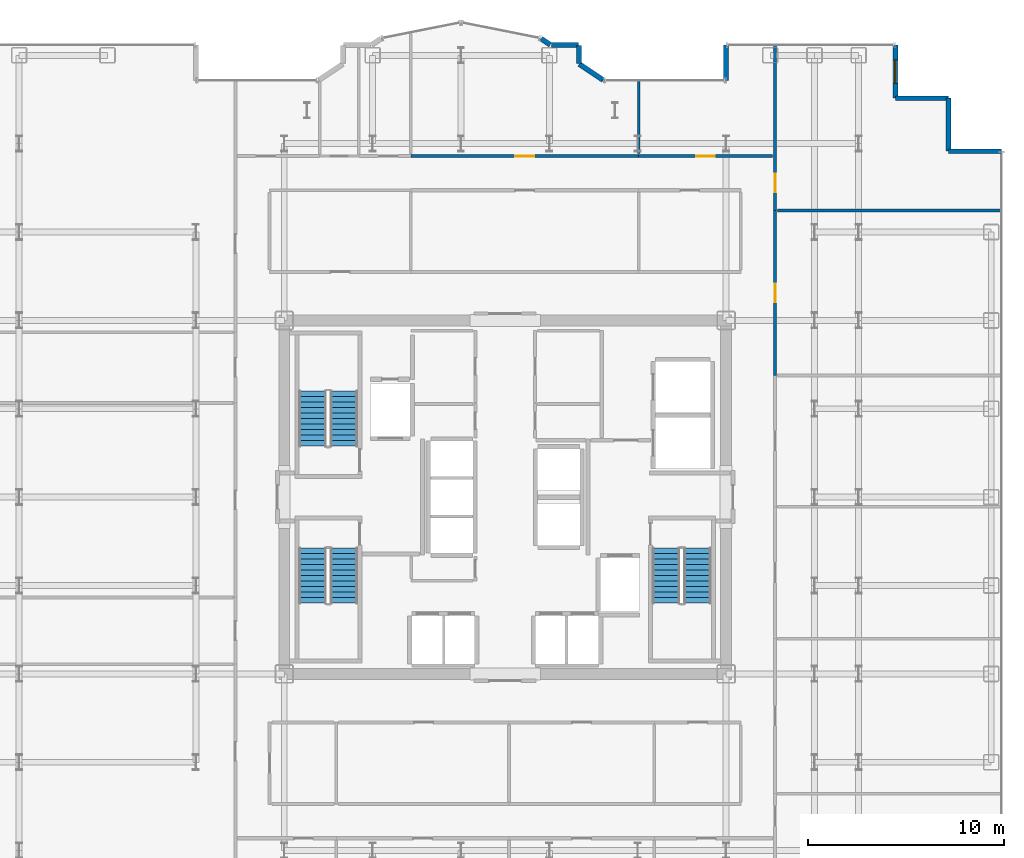
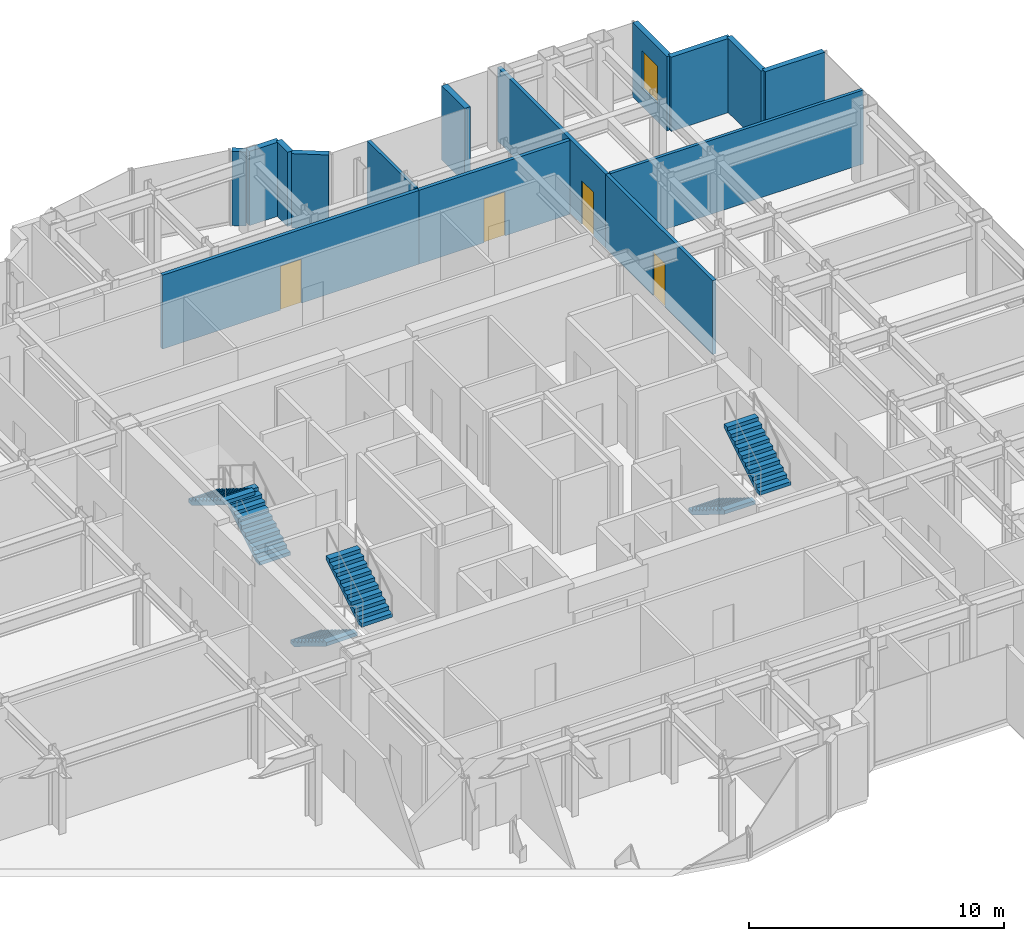
# One storey, part 22 of 23: 15 walls, 6 stair flights, 4 doors, 1 window, 5 openings, 3 elements without a shape of their own.
"""IFC4 building model written with IfcOpenShell, lengths in metres."""

from ifc_helpers import new_model, si_unit, direction, frame, frame_2d, origin, place, context, subcontext, project, spatial, polyline, rectangle, outline, extrude, source, transform, mapped, material, layer, layer_set, type_object, element, fill, aggregate, save


model = new_model("IFC4")

# Units and contexts
model_context = context("Model", 3, precision=1e-05, world=origin(), true_north=direction((0.0, 1.0)))
body_context = subcontext(model_context, "Body", "Model", "MODEL_VIEW")
ifc_project = project(units=[si_unit("LENGTHUNIT", "METRE"), si_unit("AREAUNIT", "SQUARE_METRE"), si_unit("VOLUMEUNIT", "CUBIC_METRE"), si_unit("PLANEANGLEUNIT", "RADIAN"), si_unit("MASSUNIT", "GRAM", prefix="KILO")], contexts=[model_context])

# Site, building, storey
site_placement = place(None, origin())
site = spatial("IfcSite", under=ifc_project, at=site_placement, CompositionType="ELEMENT")
building_placement = place(site_placement, origin())
building = spatial("IfcBuilding", under=site, at=building_placement, Name="Nefas-Gora Pilgrimage Tower", CompositionType="ELEMENT")
storey_placement = place(building_placement, frame((0.0, 0.0, 167.800048828125)))
storey = spatial("IfcBuildingStorey", under=building, at=storey_placement, Name="L41", CompositionType="ELEMENT", Elevation=167.800048828125)

# Walls
ifc_material_1 = material(Name="Precast concrete C40/50", Category="concrete")
ifc_layer_1 = layer(ifc_material_1, 0.260009765625)
ifc_layer_set_1 = layer_set([ifc_layer_1], Name="Precast concrete C40/50")
wall_type_1 = type_object("IfcWallType", Name="EW-PORTAL-260", PredefinedType="SOLIDWALL", material=ifc_layer_set_1)
shared_shape_1 = source(origin(), body_context, "Body", "SweptSolid", [
    extrude(rectangle(XDim=1.800048828125, YDim=0.260009765625, at=frame_2d((0.89990234375, 0.0))), origin(), (0.0, 0.0, 1.0), 3.550048828125),
])
wall_1_placement = place(storey_placement, frame((11.25, 23.02001953125, 0.0), z_axis=(0.0, 0.0, 1.0), x_axis=(0.0, -1.0, 0.0)))
element("IfcWall", 1, at=wall_1_placement, inside=storey, type_object=wall_type_1, Name="L41 Lobe Shoulder Precast Spandrel Pier 10", PredefinedType="SOLIDWALL", context=body_context, shape_type="MappedRepresentation", body=[
    mapped(shared_shape_1, transform((0.0, 0.0, 0.0), x_axis=(1.0, 0.0, 0.0), y_axis=(0.0, 1.0, 0.0), z_axis=(0.0, 0.0, 1.0), scale=1.0)),
])
ifc_material_2 = material(Name="Precast concrete C45/55", Category="concrete")
ifc_layer_2 = layer(ifc_material_2, 0.239990234375)
ifc_layer_set_2 = layer_set([ifc_layer_2], Name="Precast concrete C45/55")
wall_type_2 = type_object("IfcWallType", Name="EW-SERR-240", PredefinedType="SHEAR", material=ifc_layer_set_2)
shared_shape_2 = source(origin(), body_context, "Body", "SweptSolid", [
    extrude(rectangle(XDim=2.699951171875, YDim=0.239990234375, at=frame_2d((1.35009765625, 0.0))), origin(), (0.0, 0.0, 1.0), 3.550048828125),
])
for number, where, z_axis, x_axis, name in (
    (2, (25.27001953125, 17.6201171875, 0.0), (0.0, 0.0, 1.0), (-1.0, 0.0, 0.0), "L41 Serrated Corner Shear Pier Wall 6"),
    (3, (22.570068359375, 17.6201171875, 0.0), (0.0, 0.0, 1.0), (0.0, 1.0, 0.0), "L41 Serrated Corner Shear Pier Wall 7"),
    (4, (22.570068359375, 20.320068359375, 0.0), (0.0, 0.0, 1.0), (-1.0, 0.0, 0.0), "L41 Serrated Corner Shear Pier Wall 8"),
):
    element("IfcWall", number, at=place(storey_placement, frame(where, z_axis=z_axis, x_axis=x_axis)), inside=storey, type_object=wall_type_2, Name=name, PredefinedType="SHEAR", context=body_context, shape_type="MappedRepresentation", body=[
        mapped(shared_shape_2, transform((0.0, 0.0, 0.0), x_axis=(1.0, 0.0, 0.0), y_axis=(0.0, 1.0, 0.0), z_axis=(0.0, 0.0, 1.0), scale=1.0)),
    ])

# Wall, opening, window
wall_2_placement = place(storey_placement, frame((19.8701171875, 20.320068359375, 0.0), z_axis=(0.0, 0.0, 1.0), x_axis=(0.0, 1.0, 0.0)))
wall_2 = element("IfcWall", 5, at=wall_2_placement, inside=storey, type_object=wall_type_2, Name="L41 Serrated Corner Shear Pier Wall 9", PredefinedType="SHEAR", context=body_context, shape_type="MappedRepresentation", body=[
    mapped(shared_shape_2, transform((0.0, 0.0, 0.0), x_axis=(1.0, 0.0, 0.0), y_axis=(0.0, 1.0, 0.0), z_axis=(0.0, 0.0, 1.0), scale=1.0)),
])
opening_1_placement = place(wall_2_placement, frame((0.75, 0.0, 0.85009765625)))
opening_1 = element("IfcOpeningElement", 6, at=opening_1_placement, cuts=wall_2, Name="Opening W-V1", PredefinedType="OPENING", context=body_context, shape_type="SweptSolid", body=[
    extrude(rectangle(XDim=1.199951171875, YDim=1.800048828125, at=frame_2d((0.60009765625, 0.89990234375))), frame((0.0, 0.1298828125, 0.0), z_axis=(0.0, -1.0, 0.0), x_axis=(1.0, 0.0, 0.0)), (0.0, 0.0, 1.0), 0.260009765625),
])
ifc_material_3 = material(Name="Dark ceramic-fritted operable aluminium-glass window", Category="aluminium")
window_type = type_object("IfcWindowType", Name="WIN-VENT-1200x1800", PartitioningType="SINGLE_PANEL", PredefinedType="WINDOW", material=ifc_material_3)
shared_shape_3 = source(origin(), body_context, "Body", "SweptSolid", [
    extrude(rectangle(XDim=1.199951171875, YDim=1.800048828125, at=frame_2d((0.60009765625, 0.89990234375))), frame((0.0, 0.030029296875, 0.0), z_axis=(0.0, -1.0, 0.0), x_axis=(1.0, 0.0, 0.0)), (0.0, 0.0, 1.0), 0.06005859375),
])
window_placement = place(opening_1_placement, origin())
window = element("IfcWindow", 7, at=window_placement, inside=storey, type_object=window_type, Name="L41 Operable Parallel-Outswing Window 9", OverallHeight=1.800048828125, OverallWidth=1.199951171875, PartitioningType="SINGLE_PANEL", PredefinedType="WINDOW", context=body_context, shape_type="MappedRepresentation", body=[
    mapped(shared_shape_3, transform((0.0, 0.0, 0.0), x_axis=(1.0, 0.0, 0.0), y_axis=(0.0, 1.0, 0.0), z_axis=(0.0, 0.0, 1.0), scale=1.0)),
])
fill(opening_1, window)

# Walls
shared_shape_4 = source(origin(), body_context, "Body", "SweptSolid", [
    extrude(rectangle(XDim=1.468994140625, YDim=0.260009765625, at=frame_2d((0.734375, 0.0))), origin(), (0.0, 0.0, 1.0), 3.550048828125),
])
wall_3_placement = place(storey_placement, frame((4.99462890625, 21.235595703125, 0.0), z_axis=(0.0, 0.0, 1.0), x_axis=(-0.831461760506, 0.555581983884, 0.0)))
element("IfcWall", 8, at=wall_3_placement, inside=storey, type_object=wall_type_1, Name="L41 Lobe Shoulder Precast Spandrel Pier 11", PredefinedType="SOLIDWALL", context=body_context, shape_type="MappedRepresentation", body=[
    mapped(shared_shape_4, transform((0.0, 0.0, 0.0), x_axis=(1.0, 0.0, 0.0), y_axis=(0.0, 1.0, 0.0), z_axis=(0.0, 0.0, 1.0), scale=1.0)),
])
shared_shape_5 = source(origin(), body_context, "Body", "SweptSolid", [
    extrude(rectangle(XDim=0.896728515625, YDim=0.260009765625, at=frame_2d((0.4482421875, 0.0))), origin(), (0.0, 0.0, 1.0), 3.550048828125),
])
wall_4_placement = place(storey_placement, frame((3.75, 22.09521484375, 0.0), z_axis=(0.0, 0.0, 1.0), x_axis=(0.0, 1.0, 0.0)))
element("IfcWall", 9, at=wall_4_placement, inside=storey, type_object=wall_type_1, Name="L41 Lobe Shoulder Precast Spandrel Pier 12", PredefinedType="SOLIDWALL", context=body_context, shape_type="MappedRepresentation", body=[
    mapped(shared_shape_5, transform((0.0, 0.0, 0.0), x_axis=(1.0, 0.0, 0.0), y_axis=(0.0, 1.0, 0.0), z_axis=(0.0, 0.0, 1.0), scale=1.0)),
])
shared_shape_6 = source(origin(), body_context, "Body", "SweptSolid", [
    extrude(rectangle(XDim=1.369873046875, YDim=0.260009765625, at=frame_2d((0.68505859375, 0.0))), origin(), (0.0, 0.0, 1.0), 3.550048828125),
])
wall_5_placement = place(storey_placement, frame((3.721923828125, 23.02001953125, 0.0), z_axis=(0.0, 0.0, 1.0), x_axis=(-1.0, 0.0, 0.0)))
element("IfcWall", 10, at=wall_5_placement, inside=storey, type_object=wall_type_1, Name="L41 Lobe Shoulder Precast Spandrel Pier 13", PredefinedType="SOLIDWALL", context=body_context, shape_type="MappedRepresentation", body=[
    mapped(shared_shape_6, transform((0.0, 0.0, 0.0), x_axis=(1.0, 0.0, 0.0), y_axis=(0.0, 1.0, 0.0), z_axis=(0.0, 0.0, 1.0), scale=1.0)),
])
shared_shape_7 = source(origin(), body_context, "Body", "SweptSolid", [
    extrude(rectangle(XDim=0.5654296875, YDim=0.260009765625, at=frame_2d((0.28271484375, 0.0))), origin(), (0.0, 0.0, 1.0), 3.550048828125),
])
wall_6_placement = place(storey_placement, frame((2.30078125, 23.03564453125, 0.0), z_axis=(0.0, 0.0, 1.0), x_axis=(-0.831651492666, 0.555297933317, 0.0)))
element("IfcWall", 11, at=wall_6_placement, inside=storey, type_object=wall_type_1, Name="L41 Lobe Shoulder Precast Spandrel Pier 14", PredefinedType="SOLIDWALL", context=body_context, shape_type="MappedRepresentation", body=[
    mapped(shared_shape_7, transform((0.0, 0.0, 0.0), x_axis=(1.0, 0.0, 0.0), y_axis=(0.0, 1.0, 0.0), z_axis=(0.0, 0.0, 1.0), scale=1.0)),
])

# Wall, opening, door
ifc_material_4 = material(Name="Gypsum acoustic stud partition")
ifc_layer_3 = layer(ifc_material_4, 0.159912109375)
ifc_layer_set_3 = layer_set([ifc_layer_3], Name="Gypsum acoustic stud partition")
wall_type_3 = type_object("IfcWallType", Name="IW-CORR-160", PredefinedType="PARTITIONING", material=ifc_layer_set_3)
shared_shape_8 = source(origin(), body_context, "Body", "SweptSolid", [
    extrude(rectangle(XDim=6.8251953125, YDim=0.159912109375, at=frame_2d((3.41259765625, 0.0))), origin(), (0.0, 0.0, 1.0), 3.534912109375),
])
wall_7_placement = place(storey_placement, frame((6.794921875, 17.3701171875, 0.0), z_axis=(0.0, 0.0, 1.0), x_axis=(1.0, 0.0, 0.0)))
wall_7 = element("IfcWall", 12, at=wall_7_placement, inside=storey, type_object=wall_type_3, Name="L41 Pilgrim Contemplative Lounge Partition Wall 64", PredefinedType="PARTITIONING", context=body_context, shape_type="MappedRepresentation", body=[
    mapped(shared_shape_8, transform((0.0, 0.0, 0.0), x_axis=(1.0, 0.0, 0.0), y_axis=(0.0, 1.0, 0.0), z_axis=(0.0, 0.0, 1.0), scale=1.0)),
])
opening_2_placement = place(wall_7_placement, frame((2.9375, 0.0, 0.0)))
opening_2 = element("IfcOpeningElement", 13, at=opening_2_placement, cuts=wall_7, Name="Opening ID-GR1", PredefinedType="OPENING", context=body_context, shape_type="SweptSolid", body=[
    extrude(rectangle(XDim=0.949951171875, YDim=2.10009765625, at=frame_2d((0.47509765625, 1.050048828125))), frame((0.0, 0.08984375, 0.0), z_axis=(0.0, -1.0, 0.0), x_axis=(1.0, 0.0, 0.0)), (0.0, 0.0, 1.0), 0.179931640625),
])
ifc_material_5 = material(Name="Solid core oak fire-rated guest entrance door")
door_type = type_object("IfcDoorType", Name="DR-INT-GUEST-950", OperationType="NOTDEFINED", PredefinedType="DOOR", material=ifc_material_5)
shared_shape_9 = source(origin(), body_context, "Body", "SweptSolid", [
    extrude(rectangle(XDim=0.949951171875, YDim=2.10009765625, at=frame_2d((0.47509765625, 1.050048828125))), frame((0.0, 0.02490234375, 0.0), z_axis=(0.0, -1.0, 0.0), x_axis=(1.0, 0.0, 0.0)), (0.0, 0.0, 1.0), 0.050048828125),
])
door_1_placement = place(opening_2_placement, origin())
door_1 = element("IfcDoor", 14, at=door_1_placement, inside=storey, type_object=door_type, Name="L41 Pilgrim Contemplative Lounge Door 29", OperationType="SINGLE_SWING_RIGHT", OverallHeight=2.10009765625, OverallWidth=0.949951171875, PredefinedType="DOOR", context=body_context, shape_type="MappedRepresentation", body=[
    mapped(shared_shape_9, transform((0.0, 0.0, 0.0), x_axis=(1.0, 0.0, 0.0), y_axis=(0.0, 1.0, 0.0), z_axis=(0.0, 0.0, 1.0), scale=1.0)),
])
fill(opening_2, door_1)

# Walls
ifc_material_6 = material(Name="Gypsum twin-stud partition")
ifc_layer_4 = layer(ifc_material_6, 0.139892578125)
ifc_layer_set_4 = layer_set([ifc_layer_4], Name="Gypsum twin-stud partition")
wall_type_4 = type_object("IfcWallType", Name="IW-UNIT-140", PredefinedType="PARTITIONING", material=ifc_layer_set_4)
shared_shape_10 = source(origin(), body_context, "Body", "SweptSolid", [
    extrude(rectangle(XDim=11.429931640625, YDim=0.139892578125, at=frame_2d((5.71484375, 0.0))), origin(), (0.0, 0.0, 1.0), 3.534912109375),
])
wall_8_placement = place(storey_placement, frame((13.860107421875, 14.597412109375, 0.0), z_axis=(0.0, 0.0, 1.0), x_axis=(1.0, 0.0, 0.0)))
element("IfcWall", 15, at=wall_8_placement, inside=storey, type_object=wall_type_4, Name="L41 Pilgrim Contemplative Lounge Partition Wall 50", PredefinedType="PARTITIONING", context=body_context, shape_type="MappedRepresentation", body=[
    mapped(shared_shape_10, transform((0.0, 0.0, 0.0), x_axis=(1.0, 0.0, 0.0), y_axis=(0.0, 1.0, 0.0), z_axis=(0.0, 0.0, 1.0), scale=1.0)),
])
shared_shape_11 = source(origin(), body_context, "Body", "SweptSolid", [
    extrude(rectangle(XDim=3.75, YDim=0.139892578125, at=frame_2d((1.875, 0.0))), origin(), (0.0, 0.0, 1.0), 3.534912109375),
])
wall_9_placement = place(storey_placement, frame((6.794921875, 17.489990234375, 0.0), z_axis=(0.0, 0.0, 1.0), x_axis=(0.0, 1.0, 0.0)))
element("IfcWall", 16, at=wall_9_placement, inside=storey, type_object=wall_type_4, Name="L41 Pilgrim Contemplative Lounge Partition Wall 60", PredefinedType="PARTITIONING", context=body_context, shape_type="MappedRepresentation", body=[
    mapped(shared_shape_11, transform((0.0, 0.0, 0.0), x_axis=(1.0, 0.0, 0.0), y_axis=(0.0, 1.0, 0.0), z_axis=(0.0, 0.0, 1.0), scale=1.0)),
])

# Wall, opening, door
shared_shape_12 = source(origin(), body_context, "Body", "SweptSolid", [
    extrude(rectangle(XDim=8.45263671875, YDim=0.159912109375, at=frame_2d((4.226318359375, 0.0))), origin(), (0.0, 0.0, 1.0), 3.534912109375),
])
wall_10_placement = place(storey_placement, frame((13.739990234375, 14.58740234375, 0.0), z_axis=(0.0, 0.0, 1.0), x_axis=(0.0, 1.0, 0.0)))
wall_10 = element("IfcWall", 17, at=wall_10_placement, inside=storey, type_object=wall_type_3, Name="L41 Pilgrim Contemplative Lounge Partition Wall 49", PredefinedType="PARTITIONING", context=body_context, shape_type="MappedRepresentation", body=[
    mapped(shared_shape_12, transform((0.0, 0.0, 0.0), x_axis=(1.0, 0.0, 0.0), y_axis=(0.0, 1.0, 0.0), z_axis=(0.0, 0.0, 1.0), scale=1.0)),
])
opening_3_placement = place(wall_10_placement, frame((0.936279296875, 0.0, 0.0)))
opening_3 = element("IfcOpeningElement", 18, at=opening_3_placement, cuts=wall_10, Name="Opening ID-GR1", PredefinedType="OPENING", context=body_context, shape_type="SweptSolid", body=[
    extrude(rectangle(XDim=0.949951171875, YDim=2.10009765625, at=frame_2d((0.47509765625, 1.050048828125))), frame((0.0, 0.08984375, 0.0), z_axis=(0.0, -1.0, 0.0), x_axis=(1.0, 0.0, 0.0)), (0.0, 0.0, 1.0), 0.179931640625),
])
door_2_placement = place(opening_3_placement, origin())
door_2 = element("IfcDoor", 19, at=door_2_placement, inside=storey, type_object=door_type, Name="L41 Pilgrim Contemplative Lounge Door 22", OperationType="SINGLE_SWING_LEFT", OverallHeight=2.10009765625, OverallWidth=0.949951171875, PredefinedType="DOOR", context=body_context, shape_type="MappedRepresentation", body=[
    mapped(shared_shape_9, transform((0.0, 0.0, 0.0), x_axis=(1.0, 0.0, 0.0), y_axis=(0.0, 1.0, 0.0), z_axis=(0.0, 0.0, 1.0), scale=1.0)),
])
fill(opening_3, door_2)

shared_shape_13 = source(origin(), body_context, "Body", "SweptSolid", [
    extrude(rectangle(XDim=8.392333984375, YDim=0.159912109375, at=frame_2d((4.1962890625, 0.0))), origin(), (0.0, 0.0, 1.0), 3.534912109375),
])
wall_11_placement = place(storey_placement, frame((13.739990234375, 6.195068359375, 0.0), z_axis=(0.0, 0.0, 1.0), x_axis=(0.0, 1.0, 0.0)))
wall_11 = element("IfcWall", 20, at=wall_11_placement, inside=storey, type_object=wall_type_3, Name="L41 Pilgrim Contemplative Lounge Partition Wall 51", PredefinedType="PARTITIONING", context=body_context, shape_type="MappedRepresentation", body=[
    mapped(shared_shape_13, transform((0.0, 0.0, 0.0), x_axis=(1.0, 0.0, 0.0), y_axis=(0.0, 1.0, 0.0), z_axis=(0.0, 0.0, 1.0), scale=1.0)),
])
opening_4_placement = place(wall_11_placement, frame((3.72119140625, 0.0, 0.0)))
opening_4 = element("IfcOpeningElement", 21, at=opening_4_placement, cuts=wall_11, Name="Opening ID-GR1", PredefinedType="OPENING", context=body_context, shape_type="SweptSolid", body=[
    extrude(rectangle(XDim=0.949951171875, YDim=2.10009765625, at=frame_2d((0.47509765625, 1.050048828125))), frame((0.0, 0.08984375, 0.0), z_axis=(0.0, -1.0, 0.0), x_axis=(1.0, 0.0, 0.0)), (0.0, 0.0, 1.0), 0.179931640625),
])
door_3_placement = place(opening_4_placement, origin())
door_3 = element("IfcDoor", 22, at=door_3_placement, inside=storey, type_object=door_type, Name="L41 Pilgrim Contemplative Lounge Door 23", OperationType="SINGLE_SWING_RIGHT", OverallHeight=2.10009765625, OverallWidth=0.949951171875, PredefinedType="DOOR", context=body_context, shape_type="MappedRepresentation", body=[
    mapped(shared_shape_9, transform((0.0, 0.0, 0.0), x_axis=(1.0, 0.0, 0.0), y_axis=(0.0, 1.0, 0.0), z_axis=(0.0, 0.0, 1.0), scale=1.0)),
])
fill(opening_4, door_3)

shared_shape_14 = source(origin(), body_context, "Body", "SweptSolid", [
    extrude(rectangle(XDim=11.60986328125, YDim=0.159912109375, at=frame_2d((5.804931640625, 0.0))), origin(), (0.0, 0.0, 1.0), 3.534912109375),
])
wall_12_placement = place(storey_placement, frame((-4.804931640625, 17.3701171875, 0.0), z_axis=(0.0, 0.0, 1.0), x_axis=(1.0, 0.0, 0.0)))
wall_12 = element("IfcWall", 23, at=wall_12_placement, inside=storey, type_object=wall_type_3, Name="L41 Pilgrim Contemplative Lounge Partition Wall 59", PredefinedType="PARTITIONING", context=body_context, shape_type="MappedRepresentation", body=[
    mapped(shared_shape_14, transform((0.0, 0.0, 0.0), x_axis=(1.0, 0.0, 0.0), y_axis=(0.0, 1.0, 0.0), z_axis=(0.0, 0.0, 1.0), scale=1.0)),
])
opening_5_placement = place(wall_12_placement, frame((5.330078125, 0.0, 0.0)))
opening_5 = element("IfcOpeningElement", 24, at=opening_5_placement, cuts=wall_12, Name="Opening ID-GR1", PredefinedType="OPENING", context=body_context, shape_type="SweptSolid", body=[
    extrude(rectangle(XDim=0.949951171875, YDim=2.10009765625, at=frame_2d((0.47509765625, 1.050048828125))), frame((0.0, 0.08984375, 0.0), z_axis=(0.0, -1.0, 0.0), x_axis=(1.0, 0.0, 0.0)), (0.0, 0.0, 1.0), 0.179931640625),
])
door_4_placement = place(opening_5_placement, origin())
door_4 = element("IfcDoor", 25, at=door_4_placement, inside=storey, type_object=door_type, Name="L41 Pilgrim Contemplative Lounge Door 27", OperationType="SINGLE_SWING_RIGHT", OverallHeight=2.10009765625, OverallWidth=0.949951171875, PredefinedType="DOOR", context=body_context, shape_type="MappedRepresentation", body=[
    mapped(shared_shape_9, transform((0.0, 0.0, 0.0), x_axis=(1.0, 0.0, 0.0), y_axis=(0.0, 1.0, 0.0), z_axis=(0.0, 0.0, 1.0), scale=1.0)),
])
fill(opening_5, door_4)

# Stair, stair flights
ifc_material_7 = material(Name="Concrete C45/55", Category="concrete")
stair_type = type_object("IfcStairType", Name="STR-1400-R1727", PredefinedType="HALF_TURN_STAIR", material=ifc_material_7)
stair_1_placement = place(storey_placement, origin())
stair_1 = element("IfcStair", 26, at=stair_1_placement, inside=storey, type_object=stair_type, Name="L41 Pressurised Tower Exit Stair ST-01", PredefinedType="HALF_TURN_STAIR")
stair_flight_type = type_object("IfcStairFlightType", Name="STF-1400-R1727", PredefinedType="STRAIGHT", material=ifc_material_7)
shared_shape_15 = source(origin(), body_context, "Body", "SweptSolid", [
    extrude(outline(polyline([(0.0, 0.0), (0.0, 0.172607421875), (0.280029296875, 0.172607421875), (0.280029296875, 0.345458984375), (0.56005859375, 0.345458984375), (0.56005859375, 0.51806640625), (0.840087890625, 0.51806640625), (0.840087890625, 0.69091796875), (1.1201171875, 0.69091796875), (1.1201171875, 0.863525390625), (1.39990234375, 0.863525390625), (1.39990234375, 1.036376953125), (1.679931640625, 1.036376953125), (1.679931640625, 1.208984375), (1.9599609375, 1.208984375), (1.9599609375, 1.3818359375), (2.239990234375, 1.3818359375), (2.239990234375, 1.554443359375), (2.52001953125, 1.554443359375), (2.52001953125, 1.727294921875), (2.800048828125, 1.727294921875), (2.800048828125, 1.89990234375), (2.800048828125, 1.551025390625), (0.285400390625, 0.0), (0.0, 0.0)])), frame((0.0, 0.699951171875, 0.0), z_axis=(0.0, -1.0, 0.0), x_axis=(1.0, 0.0, 0.0)), (0.0, 0.0, 1.0), 1.39990234375),
])
stair_flight_1_placement = place(storey_placement, frame((-8.199951171875, 2.60009765625, 0.0), z_axis=(0.0, 0.0, 1.0), x_axis=(0.0, 1.0, 0.0)))
stair_flight_1 = element("IfcStairFlight", 27, at=stair_flight_1_placement, type_object=stair_flight_type, Name="ST-01 flight 1", NumberOfRisers=11, NumberOfTreads=10, PredefinedType="STRAIGHT", RiserHeight=0.172727273, TreadLength=0.28, context=body_context, shape_type="MappedRepresentation", body=[
    mapped(shared_shape_15, transform((0.0, 0.0, 0.0), x_axis=(1.0, 0.0, 0.0), y_axis=(0.0, 1.0, 0.0), z_axis=(0.0, 0.0, 1.0), scale=1.0)),
])
stair_flight_2_placement = place(storey_placement, frame((-9.800048828125, 5.39990234375, 1.89990234375), z_axis=(0.0, 0.0, 1.0), x_axis=(0.0, -1.0, 0.0)))
stair_flight_2 = element("IfcStairFlight", 28, at=stair_flight_2_placement, type_object=stair_flight_type, Name="ST-01 flight 2", NumberOfRisers=11, NumberOfTreads=10, PredefinedType="STRAIGHT", RiserHeight=0.172727273, TreadLength=0.28, context=body_context, shape_type="MappedRepresentation", body=[
    mapped(shared_shape_15, transform((0.0, 0.0, 0.0), x_axis=(1.0, 0.0, 0.0), y_axis=(0.0, 1.0, 0.0), z_axis=(0.0, 0.0, 1.0), scale=1.0)),
])
aggregate(stair_1, [stair_flight_1, stair_flight_2])

stair_2_placement = place(storey_placement, origin())
stair_2 = element("IfcStair", 29, at=stair_2_placement, inside=storey, type_object=stair_type, Name="L41 Pressurised Tower Exit Stair ST-02", PredefinedType="HALF_TURN_STAIR")
stair_flight_3_placement = place(storey_placement, frame((8.199951171875, -2.60009765625, 0.0), z_axis=(0.0, 0.0, 1.0), x_axis=(0.0, -1.0, 0.0)))
stair_flight_3 = element("IfcStairFlight", 30, at=stair_flight_3_placement, type_object=stair_flight_type, Name="ST-02 flight 1", NumberOfRisers=11, NumberOfTreads=10, PredefinedType="STRAIGHT", RiserHeight=0.172727273, TreadLength=0.28, context=body_context, shape_type="MappedRepresentation", body=[
    mapped(shared_shape_15, transform((0.0, 0.0, 0.0), x_axis=(1.0, 0.0, 0.0), y_axis=(0.0, 1.0, 0.0), z_axis=(0.0, 0.0, 1.0), scale=1.0)),
])
stair_flight_4_placement = place(storey_placement, frame((9.800048828125, -5.39990234375, 1.89990234375), z_axis=(0.0, 0.0, 1.0), x_axis=(0.0, 1.0, 0.0)))
stair_flight_4 = element("IfcStairFlight", 31, at=stair_flight_4_placement, type_object=stair_flight_type, Name="ST-02 flight 2", NumberOfRisers=11, NumberOfTreads=10, PredefinedType="STRAIGHT", RiserHeight=0.172727273, TreadLength=0.28, context=body_context, shape_type="MappedRepresentation", body=[
    mapped(shared_shape_15, transform((0.0, 0.0, 0.0), x_axis=(1.0, 0.0, 0.0), y_axis=(0.0, 1.0, 0.0), z_axis=(0.0, 0.0, 1.0), scale=1.0)),
])
aggregate(stair_2, [stair_flight_3, stair_flight_4])

stair_3_placement = place(storey_placement, origin())
stair_3 = element("IfcStair", 32, at=stair_3_placement, inside=storey, type_object=stair_type, Name="L41 Pressurised Tower Exit Stair ST-03", PredefinedType="HALF_TURN_STAIR")
stair_flight_5_placement = place(storey_placement, frame((-9.800048828125, -2.60009765625, 0.0), z_axis=(0.0, 0.0, 1.0), x_axis=(0.0, -1.0, 0.0)))
stair_flight_5 = element("IfcStairFlight", 33, at=stair_flight_5_placement, type_object=stair_flight_type, Name="ST-03 flight 1", NumberOfRisers=11, NumberOfTreads=10, PredefinedType="STRAIGHT", RiserHeight=0.172727273, TreadLength=0.28, context=body_context, shape_type="MappedRepresentation", body=[
    mapped(shared_shape_15, transform((0.0, 0.0, 0.0), x_axis=(1.0, 0.0, 0.0), y_axis=(0.0, 1.0, 0.0), z_axis=(0.0, 0.0, 1.0), scale=1.0)),
])
stair_flight_6_placement = place(storey_placement, frame((-8.199951171875, -5.39990234375, 1.89990234375), z_axis=(0.0, 0.0, 1.0), x_axis=(0.0, 1.0, 0.0)))
stair_flight_6 = element("IfcStairFlight", 34, at=stair_flight_6_placement, type_object=stair_flight_type, Name="ST-03 flight 2", NumberOfRisers=11, NumberOfTreads=10, PredefinedType="STRAIGHT", RiserHeight=0.172727273, TreadLength=0.28, context=body_context, shape_type="MappedRepresentation", body=[
    mapped(shared_shape_15, transform((0.0, 0.0, 0.0), x_axis=(1.0, 0.0, 0.0), y_axis=(0.0, 1.0, 0.0), z_axis=(0.0, 0.0, 1.0), scale=1.0)),
])
aggregate(stair_3, [stair_flight_5, stair_flight_6])

save(model, "model.ifc")
